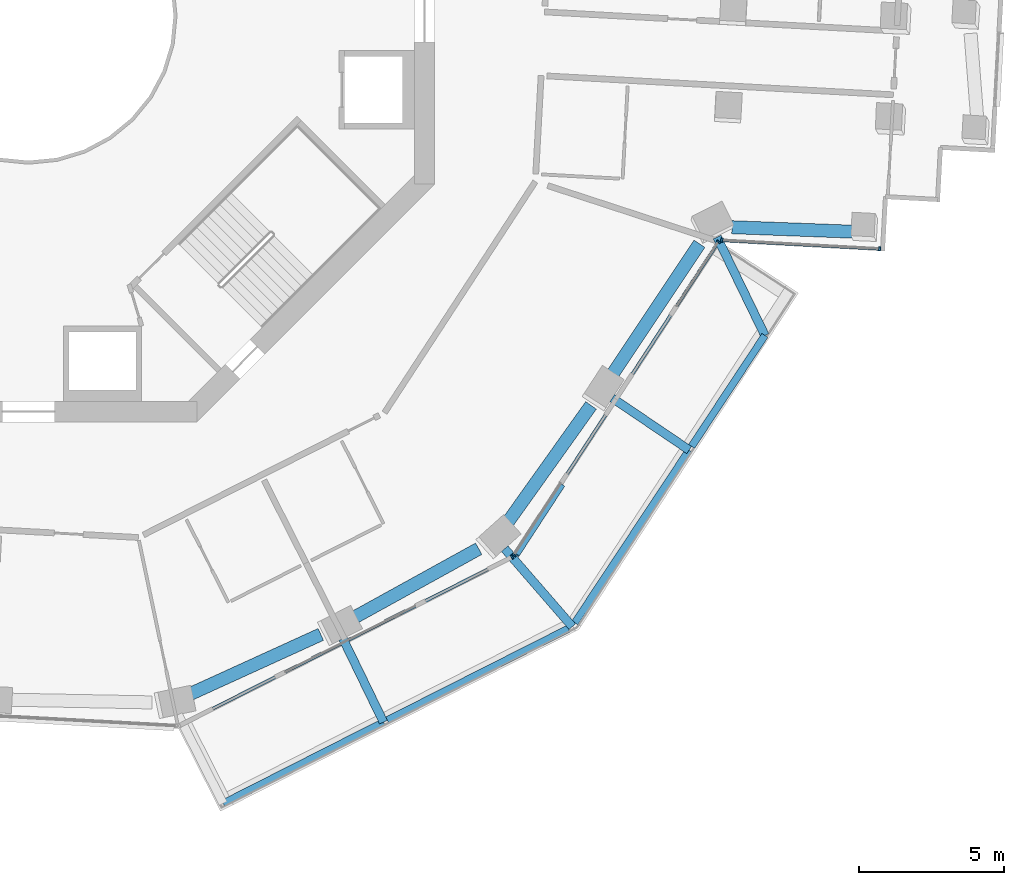
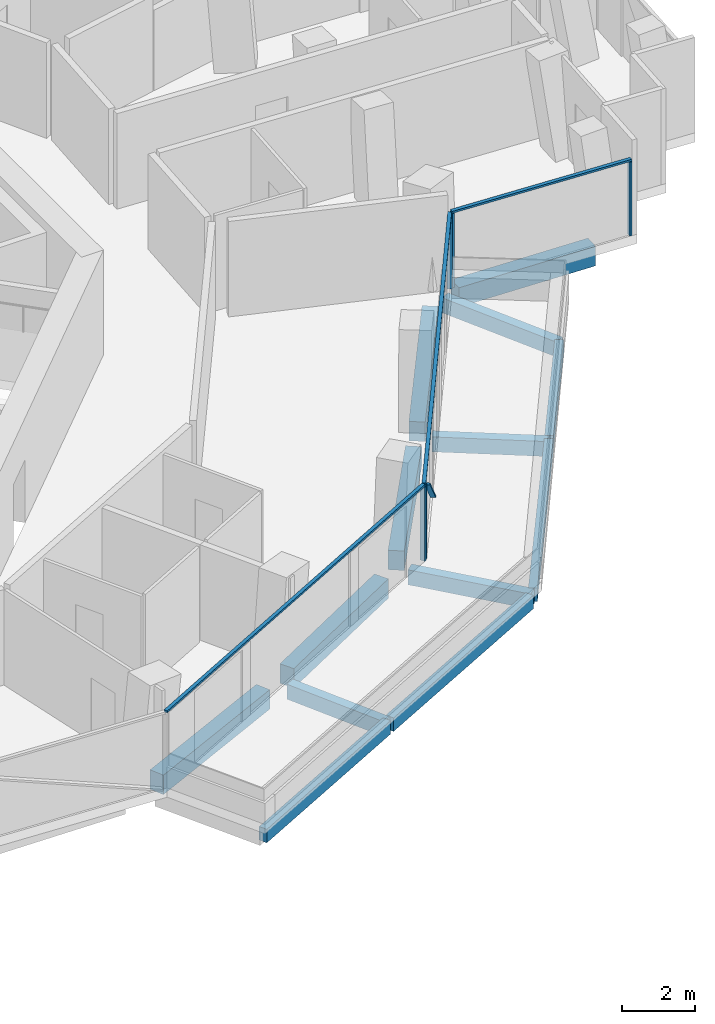
# One storey, part 5 of 23: 13 beams, 9 members, 3 elements without a shape of their own.
"""IFC4 building model written with IfcOpenShell, lengths in metres."""

from ifc_helpers import new_model, si_unit, direction, frame, origin, origin_2d, place, context, subcontext, project, spatial, rectangle, extrude, material, layer, layer_set, material_profile, profile_set, type_object, element, aggregate, save


model = new_model("IFC4")

# Units and contexts
model_context = context("Model", 3, precision=1e-05, world=origin(), true_north=direction((0.0, 1.0)))
body_context = subcontext(model_context, "Body", "Model", "MODEL_VIEW")
ifc_project = project(units=[si_unit("LENGTHUNIT", "METRE"), si_unit("AREAUNIT", "SQUARE_METRE"), si_unit("VOLUMEUNIT", "CUBIC_METRE"), si_unit("PLANEANGLEUNIT", "RADIAN"), si_unit("MASSUNIT", "GRAM", prefix="KILO")], contexts=[model_context])

# Site, building, storey
site_placement = place(None, origin())
site = spatial("IfcSite", under=ifc_project, at=site_placement, CompositionType="ELEMENT")
building_placement = place(site_placement, origin())
building = spatial("IfcBuilding", under=site, at=building_placement, Name="Verdalira Terraces Hotel", CompositionType="ELEMENT")
storey_placement = place(building_placement, frame((0.0, 0.0, 143.5)))
storey = spatial("IfcBuildingStorey", under=building, at=storey_placement, Name="L34", CompositionType="ELEMENT", Elevation=143.5)

# Beams
ifc_material_1 = material(Name="Concrete C40", Category="concrete")
ifc_material_profile_1 = material_profile(ifc_material_1, rectangle(XDim=0.300049, YDim=0.5, at=origin_2d()), Name="RC 300X500")
ifc_profile_set_1 = profile_set([ifc_material_profile_1], Name="Concrete C40")
beam_type_1 = type_object("IfcBeamType", Name="Balcony cantilever beam RC 300X500 C40", PredefinedType="BEAM", material=ifc_profile_set_1)
beam_1_placement = place(storey_placement, frame((10.839111, -21.477783, -0.560059), z_axis=(0.437117302, -0.899404506, 0.0), x_axis=(0.899404506, 0.437117302, 0.0)))
element("IfcBeam", 1, at=beam_1_placement, inside=storey, type_object=beam_type_1, Name="Balcony cantilever beam R26-2", PredefinedType="BEAM", context=body_context, shape_type="SweptSolid", body=[
    extrude(rectangle(XDim=0.300049, YDim=0.5, at=origin_2d()), origin(), (0.0, 0.0, 1.0), 3.200928),
])
beam_2_placement = place(storey_placement, frame((16.418213, -18.376221, -0.560059), z_axis=(0.654998483, -0.755630192, 0.0), x_axis=(0.755630192, 0.654998483, 0.0)))
element("IfcBeam", 2, at=beam_2_placement, inside=storey, type_object=beam_type_1, Name="Balcony cantilever beam R26-3", PredefinedType="BEAM", context=body_context, shape_type="SweptSolid", body=[
    extrude(rectangle(XDim=0.300049, YDim=0.5, at=origin_2d()), origin(), (0.0, 0.0, 1.0), 3.556641),
])
beam_3_placement = place(storey_placement, frame((20.125977, -13.180908, -0.560059), z_axis=(0.828276125, -0.560320141, 0.0), x_axis=(0.560320141, 0.828276125, 0.0)))
element("IfcBeam", 3, at=beam_3_placement, inside=storey, type_object=beam_type_1, Name="Balcony cantilever beam R26-4", PredefinedType="BEAM", context=body_context, shape_type="SweptSolid", body=[
    extrude(rectangle(XDim=0.300049, YDim=0.5, at=origin_2d()), origin(), (0.0, 0.0, 1.0), 3.200684),
])
beam_4_placement = place(storey_placement, frame((23.741211, -7.632324, -0.560059), z_axis=(0.437082115, -0.899421606, 0.0), x_axis=(0.899421606, 0.437082115, 0.0)))
element("IfcBeam", 4, at=beam_4_placement, inside=storey, type_object=beam_type_1, Name="Balcony cantilever beam R26-5", PredefinedType="BEAM", context=body_context, shape_type="SweptSolid", body=[
    extrude(rectangle(XDim=0.300049, YDim=0.5, at=origin_2d()), origin(), (0.0, 0.0, 1.0), 3.769775),
])
ifc_material_2 = material(Name="Concrete C40", Category="concrete")
ifc_material_profile_2 = material_profile(ifc_material_2, rectangle(XDim=0.25, YDim=0.449951, at=origin_2d()), Name="RC 250X450")
ifc_profile_set_2 = profile_set([ifc_material_profile_2], Name="Concrete C40")
beam_type_2 = type_object("IfcBeamType", Name="Balcony edge beam RC 250X450 C40", PredefinedType="BEAM", material=ifc_profile_set_2)
beam_5_placement = place(storey_placement, frame((6.708252, -27.159912, -0.534912), z_axis=(0.891948548, 0.452136913, 0.0), x_axis=(-0.452136913, 0.891948548, 0.0)))
element("IfcBeam", 5, at=beam_5_placement, inside=storey, type_object=beam_type_2, Name="Balcony edge beam R26-1", PredefinedType="BEAM", context=body_context, shape_type="SweptSolid", body=[
    extrude(rectangle(XDim=0.25, YDim=0.449951, at=origin_2d()), origin(), (0.0, 0.0, 1.0), 6.199951),
])
beam_6_placement = place(storey_placement, frame((12.372314, -24.289062, -0.534912), z_axis=(0.892314784, 0.451413698, 0.0), x_axis=(-0.451413698, 0.892314784, 0.0)))
element("IfcBeam", 6, at=beam_6_placement, inside=storey, type_object=beam_type_2, Name="Balcony edge beam R26-2", PredefinedType="BEAM", context=body_context, shape_type="SweptSolid", body=[
    extrude(rectangle(XDim=0.25, YDim=0.449951, at=origin_2d()), origin(), (0.0, 0.0, 1.0), 6.990234),
])
beam_7_placement = place(storey_placement, frame((18.83374, -20.933838, -0.534912), z_axis=(0.551827068, 0.833958564, 0.0), x_axis=(-0.833958564, 0.551827068, 0.0)))
element("IfcBeam", 7, at=beam_7_placement, inside=storey, type_object=beam_type_2, Name="Balcony edge beam R26-3", PredefinedType="BEAM", context=body_context, shape_type="SweptSolid", body=[
    extrude(rectangle(XDim=0.25, YDim=0.449951, at=origin_2d()), origin(), (0.0, 0.0, 1.0), 7.145996),
])
beam_8_placement = place(storey_placement, frame((22.859863, -14.849121, -0.534912), z_axis=(0.551416061, 0.83423038, 0.0), x_axis=(-0.83423038, 0.551416061, 0.0)))
element("IfcBeam", 8, at=beam_8_placement, inside=storey, type_object=beam_type_2, Name="Balcony edge beam R26-4", PredefinedType="BEAM", context=body_context, shape_type="SweptSolid", body=[
    extrude(rectangle(XDim=0.25, YDim=0.449951, at=origin_2d()), origin(), (0.0, 0.0, 1.0), 4.586426),
])

# Curtain wall, member
ifc_material_3 = material(Name="Clear glass", Category="glass")
ifc_layer_1 = layer(ifc_material_3, 0.14990234375)
ifc_layer_set_1 = layer_set([ifc_layer_1], Name="CW1 curtain wall")
curtain_wall_type_1 = type_object("IfcCurtainWallType", Name="CW1 curtain wall", PredefinedType="NOTDEFINED", material=ifc_layer_set_1)
curtain_wall_1_placement = place(storey_placement, origin())
curtain_wall_1 = element("IfcCurtainWall", 9, at=curtain_wall_1_placement, inside=storey, type_object=curtain_wall_type_1, Name="CW1 curtain wall L34 edge 26", PredefinedType="NOTDEFINED")
ifc_material_4 = material(Name="Terracotta frame", Category="masonry")
ifc_material_profile_3 = material_profile(ifc_material_4, rectangle(XDim=0.060059, YDim=0.149902, at=origin_2d()), Name="MU 60x150")
ifc_profile_set_3 = profile_set([ifc_material_profile_3], Name="Terracotta frame")
member_type_1 = type_object("IfcMemberType", Name="CW1 mullion 60x150", PredefinedType="MULLION", material=ifc_profile_set_3)
member_1_placement = place(storey_placement, frame((16.668945, -18.66333, 0.0), z_axis=(0.0, 0.0, 1.0), x_axis=(0.891955405, 0.452123386, 0.0)))
member_1 = element("IfcMember", 10, at=member_1_placement, type_object=member_type_1, Name="CW1 mullion", PredefinedType="MULLION", context=body_context, shape_type="SweptSolid", body=[
    extrude(rectangle(XDim=0.060059, YDim=0.149902, at=origin_2d()), origin(), (0.0, 0.0, 1.0), 2.475098),
])

# Curtain wall, members
curtain_wall_2_placement = place(storey_placement, origin())
curtain_wall_2 = element("IfcCurtainWall", 11, at=curtain_wall_2_placement, inside=storey, type_object=curtain_wall_type_1, Name="CW1 curtain wall L34 edge 27", PredefinedType="NOTDEFINED")
member_2_placement = place(storey_placement, frame((16.740967, -18.598877, 0.0), z_axis=(0.0, 0.0, 1.0), x_axis=(0.546394347, 0.83752804, 0.0)))
member_2 = element("IfcMember", 12, at=member_2_placement, type_object=member_type_1, Name="CW1 mullion", PredefinedType="MULLION", context=body_context, shape_type="SweptSolid", body=[
    extrude(rectangle(XDim=0.060059, YDim=0.149902, at=origin_2d()), origin(), (0.0, 0.0, 1.0), 2.475098),
])
member_3_placement = place(storey_placement, frame((23.789307, -7.794922, 0.0), z_axis=(0.0, 0.0, 1.0), x_axis=(0.546394347, 0.83752804, 0.0)))
member_3 = element("IfcMember", 13, at=member_3_placement, type_object=member_type_1, Name="CW1 mullion", PredefinedType="MULLION", context=body_context, shape_type="SweptSolid", body=[
    extrude(rectangle(XDim=0.060059, YDim=0.149902, at=origin_2d()), origin(), (0.0, 0.0, 1.0), 2.475098),
])

# Member
ifc_material_5 = material(Name="Terracotta frame", Category="masonry")
ifc_material_profile_4 = material_profile(ifc_material_5, rectangle(XDim=0.110107, YDim=0.064941, at=origin_2d()), Name="TR 65x110")
ifc_profile_set_4 = profile_set([ifc_material_profile_4], Name="Terracotta frame")
member_type_2 = type_object("IfcMemberType", Name="CW1 transom 65x110", PredefinedType="USERDEFINED", material=ifc_profile_set_4)
member_4_placement = place(storey_placement, frame((5.171875, -24.490967, 2.507568), z_axis=(0.89196476, 0.452104929, 0.0), x_axis=(-0.452104929, 0.89196476, 0.0)))
member_4 = element("IfcMember", 14, at=member_4_placement, type_object=member_type_2, Name="CW1 transom", ObjectType="TRANSOM", PredefinedType="USERDEFINED", context=body_context, shape_type="SweptSolid", body=[
    extrude(rectangle(XDim=0.110107, YDim=0.064941, at=origin_2d()), origin(), (0.0, 0.0, 1.0), 12.919678),
])

aggregate(curtain_wall_1, [member_1, member_4])

member_5_placement = place(storey_placement, frame((16.724609, -18.624023, 2.507568), z_axis=(0.546386726, 0.837533011, 0.0), x_axis=(-0.837533011, 0.546386726, 0.0)))
member_5 = element("IfcMember", 15, at=member_5_placement, type_object=member_type_2, Name="CW1 transom", ObjectType="TRANSOM", PredefinedType="USERDEFINED", context=body_context, shape_type="SweptSolid", body=[
    extrude(rectangle(XDim=0.110107, YDim=0.064941, at=origin_2d()), origin(), (0.0, 0.0, 1.0), 12.959717),
])

# Curtain wall, members
ifc_material_6 = material(Name="Clear glass", Category="glass")
ifc_layer_2 = layer(ifc_material_6, 0.14990234375)
ifc_layer_set_2 = layer_set([ifc_layer_2], Name="CW2 curtain wall")
curtain_wall_type_2 = type_object("IfcCurtainWallType", Name="CW2 curtain wall", PredefinedType="NOTDEFINED", material=ifc_layer_set_2)
curtain_wall_3_placement = place(storey_placement, origin())
curtain_wall_3 = element("IfcCurtainWall", 16, at=curtain_wall_3_placement, inside=storey, type_object=curtain_wall_type_2, Name="CW2 curtain wall L34 edge 28", PredefinedType="NOTDEFINED")
ifc_material_7 = material(Name="Terracotta frame", Category="masonry")
ifc_material_profile_5 = material_profile(ifc_material_7, rectangle(XDim=0.070068, YDim=0.149902, at=origin_2d()), Name="MU 70x150")
ifc_profile_set_5 = profile_set([ifc_material_profile_5], Name="Terracotta frame")
member_type_3 = type_object("IfcMemberType", Name="CW2 mullion 70x150", PredefinedType="MULLION", material=ifc_profile_set_5)
member_6_placement = place(storey_placement, frame((23.907715, -7.737793, 0.0), z_axis=(0.0, 0.0, 1.0), x_axis=(0.998517732, -0.054427365, 0.0)))
member_6 = element("IfcMember", 17, at=member_6_placement, type_object=member_type_3, Name="CW2 mullion", PredefinedType="MULLION", context=body_context, shape_type="SweptSolid", body=[
    extrude(rectangle(XDim=0.070068, YDim=0.149902, at=origin_2d()), origin(), (0.0, 0.0, 1.0), 2.475098),
])
member_7_placement = place(storey_placement, frame((29.342041, -8.033936, 0.0), z_axis=(0.0, 0.0, 1.0), x_axis=(0.998517732, -0.054427365, 0.0)))
member_7 = element("IfcMember", 18, at=member_7_placement, type_object=member_type_3, Name="CW2 mullion", PredefinedType="MULLION", context=body_context, shape_type="SweptSolid", body=[
    extrude(rectangle(XDim=0.070068, YDim=0.149902, at=origin_2d()), origin(), (0.0, 0.0, 1.0), 2.475098),
])
ifc_material_8 = material(Name="Terracotta frame", Category="masonry")
ifc_material_profile_6 = material_profile(ifc_material_8, rectangle(XDim=0.11499, YDim=0.064941, at=origin_2d()), Name="TR 65x115")
ifc_profile_set_6 = profile_set([ifc_material_profile_6], Name="Terracotta frame")
member_type_4 = type_object("IfcMemberType", Name="CW2 transom 65x115", PredefinedType="USERDEFINED", material=ifc_profile_set_6)
member_8_placement = place(storey_placement, frame((23.872559, -7.73584, 2.507568), z_axis=(0.99851759, -0.054429971, 0.0), x_axis=(0.054429971, 0.99851759, 0.0)))
member_8 = element("IfcMember", 19, at=member_8_placement, type_object=member_type_4, Name="CW2 transom", ObjectType="TRANSOM", PredefinedType="USERDEFINED", context=body_context, shape_type="SweptSolid", body=[
    extrude(rectangle(XDim=0.11499, YDim=0.064941, at=origin_2d()), origin(), (0.0, 0.0, 1.0), 5.512451),
])
aggregate(curtain_wall_3, [member_6, member_7, member_8])

# Member
ifc_material_9 = material(Name="Terracotta frame", Category="masonry")
ifc_material_profile_7 = material_profile(ifc_material_9, rectangle(XDim=0.149902, YDim=0.060059, at=origin_2d()), Name="GB 60x150")
ifc_profile_set_7 = profile_set([ifc_material_profile_7], Name="Terracotta frame")
member_type_5 = type_object("IfcMemberType", Name="Diagonal glazing bar 60x150", PredefinedType="USERDEFINED", material=ifc_profile_set_7)
member_9_placement = place(storey_placement, frame((16.847656, -18.598389, 2.450928), z_axis=(0.417033345, 0.639360144, -0.645989005), x_axis=(-0.837575027, 0.546322317, 0.0)))
member_9 = element("IfcMember", 20, at=member_9_placement, type_object=member_type_5, Name="Diagonal glazing bar", ObjectType="GLAZING BAR", PredefinedType="USERDEFINED", context=body_context, shape_type="SweptSolid", body=[
    extrude(rectangle(XDim=0.149902, YDim=0.060059, at=origin_2d()), origin(), (0.0, 0.0, 1.0), 3.756592),
])

aggregate(curtain_wall_2, [member_2, member_3, member_5, member_9])

# Beams
ifc_material_10 = material(Name="Concrete C50", Category="concrete")
ifc_material_profile_8 = material_profile(ifc_material_10, rectangle(XDim=0.449951, YDim=0.649902, at=origin_2d()), Name="RC 450X650")
ifc_profile_set_8 = profile_set([ifc_material_profile_8], Name="Concrete C50")
beam_type_3 = type_object("IfcBeamType", Name="Spandrel beam RC 450X650 C50", PredefinedType="SPANDREL", material=ifc_profile_set_8)
beam_9_placement = place(storey_placement, frame((5.512939, -23.41333, -0.63501), z_axis=(0.909877403, 0.414877226, 0.0), x_axis=(-0.414877226, 0.909877403, 0.0)))
element("IfcBeam", 21, at=beam_9_placement, inside=storey, type_object=beam_type_3, Name="Spandrel beam B11", PredefinedType="SPANDREL", context=body_context, shape_type="SweptSolid", body=[
    extrude(rectangle(XDim=0.449951, YDim=0.649902, at=origin_2d()), origin(), (0.0, 0.0, 1.0), 5.015381),
])
beam_10_placement = place(storey_placement, frame((11.132812, -20.800781, -0.63501), z_axis=(0.875456882, 0.483296232, 0.0), x_axis=(-0.483296232, 0.875456882, 0.0)))
element("IfcBeam", 22, at=beam_10_placement, inside=storey, type_object=beam_type_3, Name="Spandrel beam B12", PredefinedType="SPANDREL", context=body_context, shape_type="SweptSolid", body=[
    extrude(rectangle(XDim=0.449951, YDim=0.649902, at=origin_2d()), origin(), (0.0, 0.0, 1.0), 5.012207),
])
beam_11_placement = place(storey_placement, frame((16.481201, -17.52002, -0.63501), z_axis=(0.580533461, 0.814236391, 0.0), x_axis=(-0.814236391, 0.580533461, 0.0)))
element("IfcBeam", 23, at=beam_11_placement, inside=storey, type_object=beam_type_3, Name="Spandrel beam B13", PredefinedType="SPANDREL", context=body_context, shape_type="SweptSolid", body=[
    extrude(rectangle(XDim=0.449951, YDim=0.649902, at=origin_2d()), origin(), (0.0, 0.0, 1.0), 5.015381),
])
beam_12_placement = place(storey_placement, frame((20.053711, -12.478516, -0.63501), z_axis=(0.555045617, 0.83181991, 0.0), x_axis=(-0.83181991, 0.555045617, 0.0)))
element("IfcBeam", 24, at=beam_12_placement, inside=storey, type_object=beam_type_3, Name="Spandrel beam B14", PredefinedType="SPANDREL", context=body_context, shape_type="SweptSolid", body=[
    extrude(rectangle(XDim=0.449951, YDim=0.649902, at=origin_2d()), origin(), (0.0, 0.0, 1.0), 5.544922),
])
beam_13_placement = place(storey_placement, frame((24.251465, -7.291016, -0.63501), z_axis=(0.999309059, -0.037167244, 0.0), x_axis=(0.037167244, 0.999309059, 0.0)))
element("IfcBeam", 25, at=beam_13_placement, inside=storey, type_object=beam_type_3, Name="Spandrel beam B15", PredefinedType="SPANDREL", context=body_context, shape_type="SweptSolid", body=[
    extrude(rectangle(XDim=0.449951, YDim=0.649902, at=origin_2d()), origin(), (0.0, 0.0, 1.0), 4.236816),
])

save(model, "model.ifc")
